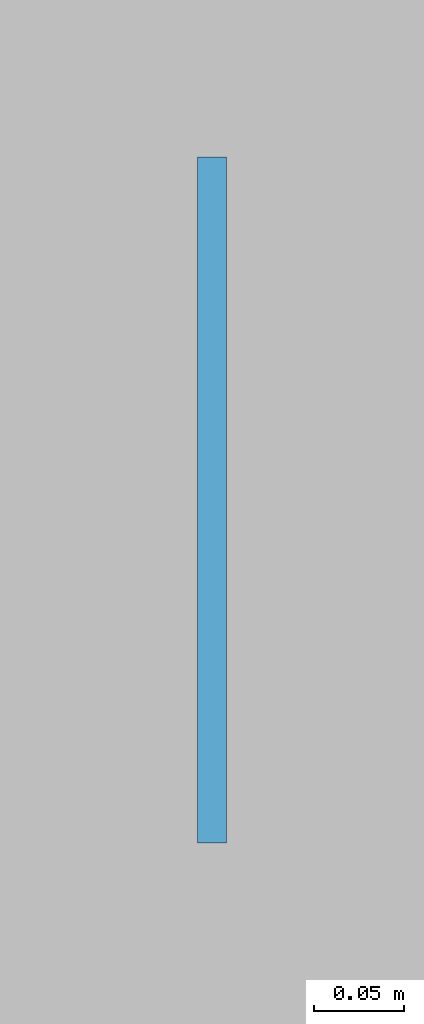
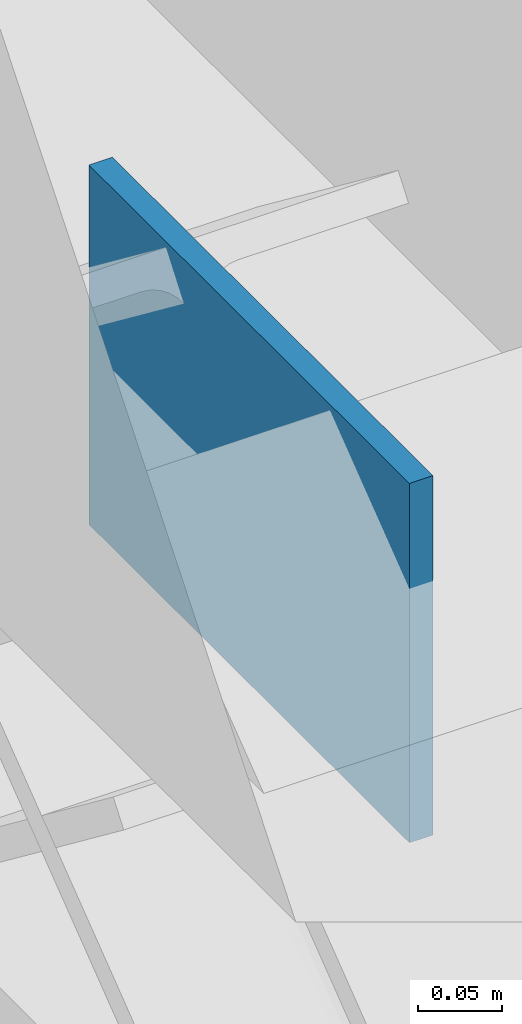
# One storey, part 70 of 101: 1 plate.
"""IFC4 building model written with IfcOpenShell, lengths in metres."""

import ifcopenshell
import ifcopenshell.guid

model = None  # the IFC model being written
_history = None  # IfcOwnerHistory: only IFC2X3 demands one
_inside = {}  # id of a spatial element -> (the spatial element, [elements in it])
_under = {}  # id of a project, library or spatial element -> (it, [spatial elements below it])
_declared = {}  # id of a project -> (the project, [libraries it declares])
_typed = {}  # id of a type object -> (the type object, [elements of that type])
_made_of = {}  # id of a material, layer set ... -> (it, [elements and type objects made of it])


def new_model(schema):
    """Start an empty IFC model of exactly this schema.

    Asked for "IFC4X3", IfcOpenShell would pick the latest addendum, in which some entities
    have other attributes; the version numbers below select the first issue.
    IFC2X3 requires an IfcOwnerHistory on every rooted entity: one is made here for all.
    """
    global model, _history
    if schema == "IFC4X3":
        model = ifcopenshell.file(schema_version=(4, 3, 0, 0))
    else:
        model = ifcopenshell.file(schema=schema)
    _inside.clear()
    _under.clear()
    _declared.clear()
    _typed.clear()
    _made_of.clear()
    _history = None
    if model.schema == "IFC2X3":
        org = make("IfcOrganization", Name="unknown")
        user = make(
            "IfcPersonAndOrganization",
            ThePerson=make("IfcPerson", FamilyName="unknown"),
            TheOrganization=org,
        )
        app = make(
            "IfcApplication",
            ApplicationDeveloper=org,
            Version="unknown",
            ApplicationFullName="unknown",
            ApplicationIdentifier="unknown",
        )
        _history = make(
            "IfcOwnerHistory",
            OwningUser=user,
            OwningApplication=app,
            ChangeAction="ADDED",
            CreationDate=0,
        )
    return model


def make(cls, **values):
    """One entity of the class cls with the attributes given. An attribute that is None is left unset."""
    return model.create_entity(
        cls, **{name: value for name, value in values.items() if value is not None}
    )


def rooted(cls, **values):
    """An entity with a GlobalId (a new one), such as an element, a storey or a relation."""
    return make(cls, GlobalId=ifcopenshell.guid.new(), OwnerHistory=_history, **values)


def si_unit(unit_type, name, prefix=None):
    """IfcSIUnit, for example si_unit("LENGTHUNIT", "METRE", prefix="MILLI")."""
    return make("IfcSIUnit", UnitType=unit_type, Prefix=prefix, Name=name)


def assignment(units):
    """IfcUnitAssignment: the units of a project."""
    return None if units is None else make("IfcUnitAssignment", Units=units)


def point(xyz):
    """IfcCartesianPoint."""
    return None if xyz is None else make("IfcCartesianPoint", Coordinates=xyz)


def direction(xyz):
    """IfcDirection."""
    return None if xyz is None else make("IfcDirection", DirectionRatios=xyz)


def frame(location, z_axis=None, x_axis=None):
    """IfcAxis2Placement3D, a coordinate frame: its origin and axes. An axis left out is left unset."""
    return make(
        "IfcAxis2Placement3D",
        Location=point(location),
        Axis=direction(z_axis),
        RefDirection=direction(x_axis),
    )


def frame_2d(location, x_axis=None):
    """IfcAxis2Placement2D, a coordinate frame in the plane: its origin and x axis."""
    return make(
        "IfcAxis2Placement2D", Location=point(location), RefDirection=direction(x_axis)
    )


def origin():
    """The frame at (0, 0, 0) with its axes left unset."""
    return frame((0.0, 0.0, 0.0))


def origin_2d():
    """The frame at (0, 0) in the plane with its x axis left unset."""
    return frame_2d((0.0, 0.0))


def place(relative_to, where):
    """IfcLocalPlacement: puts the frame where relative to a parent placement (None: the world)."""
    return make(
        "IfcLocalPlacement", PlacementRelTo=relative_to, RelativePlacement=where
    )


def context(
    kind, dimensions, precision=None, world=None, true_north=None, identifier=None
):
    """IfcGeometricRepresentationContext, for example the 3D "Model" context."""
    return make(
        "IfcGeometricRepresentationContext",
        ContextIdentifier=identifier,
        ContextType=kind,
        CoordinateSpaceDimension=dimensions,
        Precision=precision,
        WorldCoordinateSystem=world,
        TrueNorth=true_north,
    )


def subcontext(parent, identifier, kind, view, scale=None):
    """IfcGeometricRepresentationSubContext, for example "Body" below "Model"."""
    return make(
        "IfcGeometricRepresentationSubContext",
        ContextIdentifier=identifier,
        ContextType=kind,
        ParentContext=parent,
        TargetScale=scale,
        TargetView=view,
    )


def project(units=None, contexts=None):
    """IfcProject with its units and contexts."""
    return rooted(
        "IfcProject",
        Name="project",
        RepresentationContexts=contexts,
        UnitsInContext=assignment(units),
    )


def spatial(cls, under=None, at=None, **own):
    """A site, building, storey or space (cls), placed at a placement, below another one or the project."""
    s = rooted(cls, ObjectPlacement=at, **own)
    if under is not None:
        _under.setdefault(under.id(), (under, []))[1].append(s)
    return s


def profile(cls, at=None, kind="AREA", **sizes):
    """A parametric profile (cls). Its sizes go by their IFC names, for example OverallWidth=200.0."""
    return make(cls, ProfileType=kind, Position=at, **sizes)


def rectangle(**sizes):
    """IfcRectangleProfileDef."""
    return profile("IfcRectangleProfileDef", **sizes)


def extrude(swept, where, along, depth):
    """IfcExtrudedAreaSolid: the profile swept, set in the frame where, extruded along a direction by depth."""
    return make(
        "IfcExtrudedAreaSolid",
        SweptArea=swept,
        Position=where,
        ExtrudedDirection=direction(along),
        Depth=depth,
    )


def shape(context_of_items, identifier, shape_type, items):
    """IfcShapeRepresentation: the items that make up one representation, for example the "Body"."""
    return make(
        "IfcShapeRepresentation",
        ContextOfItems=context_of_items,
        RepresentationIdentifier=identifier,
        RepresentationType=shape_type,
        Items=items,
    )


def material(Name=None, Category=None):
    """IfcMaterial."""
    return make("IfcMaterial", Name=Name, Category=Category)


def layer(
    of_material, thickness, ventilated=None, Name=None, Category=None, Priority=None
):
    """IfcMaterialLayer: one layer of a wall or slab, of a material (None: an air gap)."""
    return make(
        "IfcMaterialLayer",
        Material=of_material,
        LayerThickness=thickness,
        IsVentilated=ventilated,
        Name=Name,
        Category=Category,
        Priority=Priority,
    )


def layer_set(layers, Name=None):
    """IfcMaterialLayerSet."""
    return make("IfcMaterialLayerSet", MaterialLayers=layers, LayerSetName=Name)


def made_of(thing, what):
    """Note that an element or type object is made of a material, layer set ...; save() writes the relation."""
    if what is not None:
        _made_of.setdefault(what.id(), (what, []))[1].append(thing)
    return thing


def type_object(cls, material=None, **own):
    """A type object (cls), such as IfcWallType, which elements share."""
    return made_of(rooted(cls, **own), material)


def element(
    cls,
    number,
    at=None,
    inside=None,
    cuts=None,
    type_object=None,
    material=None,
    context=None,
    identifier="Body",
    shape_type=None,
    held_by="IfcProductDefinitionShape",
    body=None,
    shapes=None,
    **own,
):
    """One element of the class cls, such as IfcWall. Its Tag is "e" and its number.

    at: its placement. inside: the storey or other place that contains it. cuts: it is an
    opening in that element (IfcRelVoidsElement). A single representation is given by context,
    identifier, shape_type and body (its items); several are given by shapes. held_by: the class
    of the entity that holds the representations. save() writes the other relations.
    """
    e = rooted(cls, Tag="e%d" % number, ObjectPlacement=at, **own)
    if body is not None:
        shapes = [shape(context, identifier, shape_type, body)]
    if shapes is not None:
        e.Representation = make(held_by, Representations=shapes)
    if inside is not None:
        _inside.setdefault(inside.id(), (inside, []))[1].append(e)
    if cuts is not None:
        rooted(
            "IfcRelVoidsElement", RelatingBuildingElement=cuts, RelatedOpeningElement=e
        )
    if type_object is not None:
        _typed.setdefault(type_object.id(), (type_object, []))[1].append(e)
    return made_of(e, material)


def aggregate(whole, parts):
    """IfcRelAggregates: a whole, such as a stair, and the parts it consists of."""
    return rooted("IfcRelAggregates", RelatingObject=whole, RelatedObjects=parts)


def save(model, path):
    """Write the relations noted so far, then the file.

    IfcRelAggregates (storeys below a building ...), IfcRelContainedInSpatialStructure (elements
    in a storey), IfcRelDefinesByType, IfcRelAssociatesMaterial and IfcRelDeclares: one each for
    every whole, place, type object, material and project.
    """
    for whole, parts in _under.values():
        aggregate(whole, parts)
    for where, things in _inside.values():
        rooted(
            "IfcRelContainedInSpatialStructure",
            RelatedElements=things,
            RelatingStructure=where,
        )
    for kind, things in _typed.values():
        rooted("IfcRelDefinesByType", RelatedObjects=things, RelatingType=kind)
    for what, things in _made_of.values():
        rooted("IfcRelAssociatesMaterial", RelatedObjects=things, RelatingMaterial=what)
    for by, libraries in _declared.values():
        rooted("IfcRelDeclares", RelatingContext=by, RelatedDefinitions=libraries)
    model.write(path)


model = new_model("IFC4")

# Units and contexts
model_context = context("Model", 3, precision=1e-05, world=origin(), true_north=direction((0.0, 1.0)))
body_context = subcontext(model_context, "Body", "Model", "MODEL_VIEW")
ifc_project = project(units=[si_unit("LENGTHUNIT", "METRE"), si_unit("AREAUNIT", "SQUARE_METRE"), si_unit("VOLUMEUNIT", "CUBIC_METRE"), si_unit("PLANEANGLEUNIT", "RADIAN"), si_unit("MASSUNIT", "GRAM", prefix="KILO")], contexts=[model_context])

# Site, building, storey
site_placement = place(None, origin())
site = spatial("IfcSite", under=ifc_project, at=site_placement, CompositionType="ELEMENT")
building_placement = place(site_placement, origin())
building = spatial("IfcBuilding", under=site, at=building_placement, Name="Qasida Concert Hall", CompositionType="ELEMENT")
storey_placement = place(building_placement, frame((0.0, 0.0, 13.199951171875)))
storey = spatial("IfcBuildingStorey", under=building, at=storey_placement, Name="L03", CompositionType="ELEMENT", Elevation=13.199951171875)

# Plate
ifc_material = material(Name="Steel S355J2", Category="steel")
ifc_layer = layer(ifc_material, 0.01611328125, Name="Steel S355J2")
ifc_layer_set = layer_set([ifc_layer], Name="Steel S355J2")
plate_type = type_object("IfcPlateType", Name="PLT-PL-EC3", PredefinedType="SHEET", material=ifc_layer_set)
plate_placement = place(storey_placement, frame((52.5, 71.25, 2.740234375), z_axis=(0.0, 0.0, 1.0), x_axis=(0.0, 1.0, 0.0)))
element("IfcPlate", 1, at=plate_placement, inside=storey, type_object=plate_type, Name="Chevron apex plate CBF-0074", PredefinedType="SHEET", context=body_context, shape_type="SweptSolid", body=[
    extrude(rectangle(XDim=0.3798828125, YDim=0.01611328125, at=origin_2d()), origin(), (0.0, 0.0, 1.0), 0.260009765625),
])

save(model, "model.ifc")
